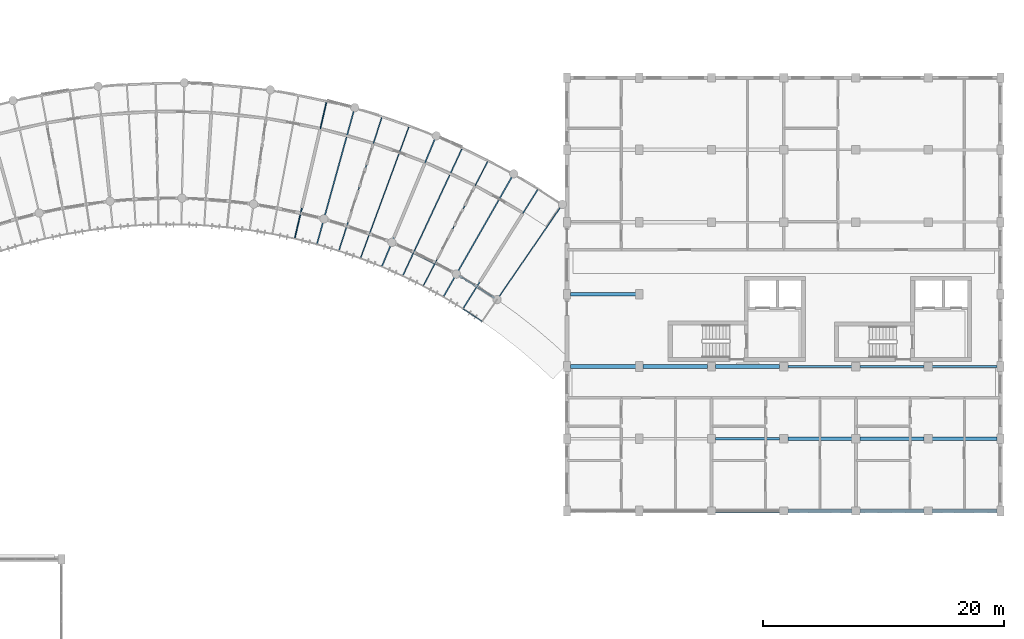
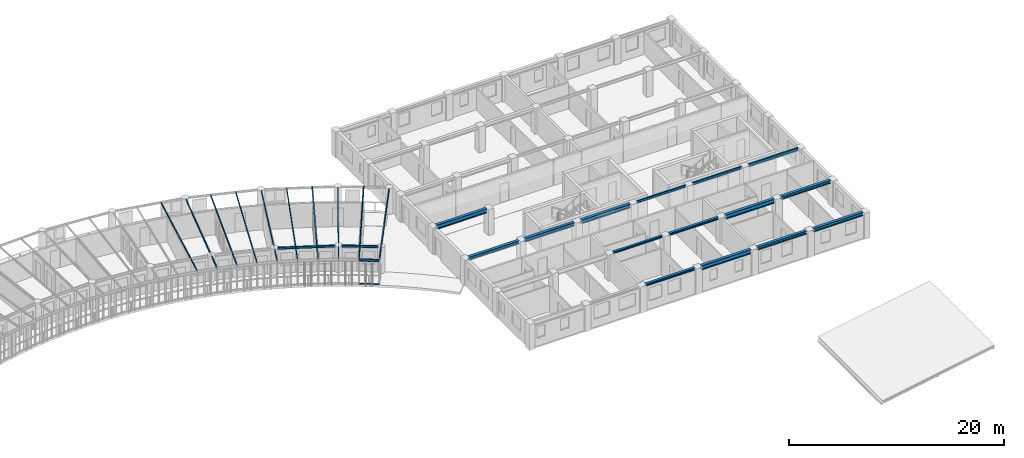
# One storey, part 65 of 137: 28 beams, 2 members.
"""IFC4 building model written with IfcOpenShell, lengths in metres."""

from ifc_helpers import new_model, si_unit, direction, frame, origin, origin_2d, place, context, subcontext, project, spatial, hollow_rectangle, i_section, extrude, material, material_profile, profile_set, type_object, element, save


model = new_model("IFC4")

# Units and contexts
model_context = context("Model", 3, precision=1e-05, world=origin(), true_north=direction((0.0, 1.0)))
body_context = subcontext(model_context, "Body", "Model", "MODEL_VIEW")
ifc_project = project(units=[si_unit("LENGTHUNIT", "METRE"), si_unit("AREAUNIT", "SQUARE_METRE"), si_unit("VOLUMEUNIT", "CUBIC_METRE"), si_unit("PLANEANGLEUNIT", "RADIAN"), si_unit("MASSUNIT", "GRAM", prefix="KILO"), si_unit("POWERUNIT", "WATT"), si_unit("THERMODYNAMICTEMPERATUREUNIT", "KELVIN")], contexts=[model_context])

# Site, building, storey
site_placement = place(None, origin())
site = spatial("IfcSite", under=ifc_project, at=site_placement, CompositionType="ELEMENT")
building_placement = place(site_placement, origin())
building = spatial("IfcBuilding", under=site, at=building_placement, Name="Ruvembo Vaulted Housing Court", CompositionType="ELEMENT")
storey_placement = place(building_placement, frame((0.0, 0.0, 4.5)))
storey = spatial("IfcBuildingStorey", under=building, at=storey_placement, Name="L01", CompositionType="ELEMENT", Elevation=4.5)

# Beams
ifc_material = material(Name="Steel S355J2", Category="steel")
ifc_material_profile_1 = material_profile(ifc_material, i_section(OverallWidth=0.219970703125, OverallDepth=0.219970703125, WebThickness=0.009521484375, FlangeThickness=0.01611328125, FilletRadius=0.01806640625, at=origin_2d()), Name="HEB 220")
ifc_profile_set_1 = profile_set([ifc_material_profile_1], Name="Steel S355J2")
beam_type_1 = type_object("IfcBeamType", Name="BM-ST-HEB220", PredefinedType="BEAM", material=ifc_profile_set_1)
beam_1_placement = place(storey_placement, frame((162.3349609375, 78.0, 2.81591796875), z_axis=(1.0, 0.0, 0.0), x_axis=(0.0, 1.0, 0.0)))
element("IfcBeam", 1, at=beam_1_placement, inside=storey, type_object=beam_type_1, Name="L01 Grid Beam X #1242", PredefinedType="BEAM", context=body_context, shape_type="SweptSolid", body=[
    extrude(i_section(OverallWidth=0.219970703125, OverallDepth=0.219970703125, WebThickness=0.009521484375, FlangeThickness=0.01611328125, FilletRadius=0.01806640625, at=origin_2d()), origin(), (0.0, 0.0, 1.0), 5.330078125),
])
ifc_material_profile_2 = material_profile(ifc_material, i_section(OverallWidth=0.260009765625, OverallDepth=0.260009765625, WebThickness=0.010009765625, FlangeThickness=0.017578125, FilletRadius=0.02392578125, at=origin_2d()), Name="HEB 260")
ifc_profile_set_2 = profile_set([ifc_material_profile_2], Name="Steel S355J2")
beam_type_2 = type_object("IfcBeamType", Name="BM-ST-HEB260", PredefinedType="BEAM", material=ifc_profile_set_2)
for number, where, z_axis, x_axis, name in (
    (2, (162.3349609375, 72.0, 2.7958984375), (1.0, 0.0, 0.0), (0.0, 1.0, 0.0), "L01 Grid Beam X #1230"),
    (3, (168.3349609375, 78.0, 2.7958984375), (1.0, 0.0, 0.0), (0.0, 1.0, 0.0), "L01 Grid Beam X #1243"),
):
    element("IfcBeam", number, at=place(storey_placement, frame(where, z_axis=z_axis, x_axis=x_axis)), inside=storey, type_object=beam_type_2, Name=name, PredefinedType="BEAM", context=body_context, shape_type="SweptSolid", body=[
        extrude(i_section(OverallWidth=0.260009765625, OverallDepth=0.260009765625, WebThickness=0.010009765625, FlangeThickness=0.017578125, FilletRadius=0.02392578125, at=origin_2d()), origin(), (0.0, 0.0, 1.0), 5.330078125),
    ])
ifc_material_profile_3 = material_profile(ifc_material, i_section(OverallWidth=0.300048828125, OverallDepth=0.5, WebThickness=0.014404296875, FlangeThickness=0.028076171875, FilletRadius=0.027099609375, at=origin_2d()), Name="HEB 320")
ifc_profile_set_3 = profile_set([ifc_material_profile_3], Name="Steel S355J2")
beam_type_3 = type_object("IfcBeamType", Name="BM-ST-HEB320", PredefinedType="BEAM", material=ifc_profile_set_3)
for number, where, z_axis, x_axis, name in (
    (4, (168.3349609375, 72.0, 2.676025390625), (1.0, 0.0, 0.0), (0.0, 1.0, 0.0), "L01 Grid Beam X #1231"),
    (5, (174.3349609375, 78.0, 2.676025390625), (1.0, 0.0, 0.0), (0.0, 1.0, 0.0), "L01 Grid Beam X #1244"),
):
    element("IfcBeam", number, at=place(storey_placement, frame(where, z_axis=z_axis, x_axis=x_axis)), inside=storey, type_object=beam_type_3, Name=name, PredefinedType="BEAM", context=body_context, shape_type="SweptSolid", body=[
        extrude(i_section(OverallWidth=0.300048828125, OverallDepth=0.5, WebThickness=0.014404296875, FlangeThickness=0.028076171875, FilletRadius=0.027099609375, at=origin_2d()), origin(), (0.0, 0.0, 1.0), 5.330078125),
    ])
beam_2_placement = place(storey_placement, frame((150.284912109375, 90.0, 2.676025390625), z_axis=(1.0, 0.0, 0.0), x_axis=(0.0, 1.0, 0.0)))
element("IfcBeam", 6, at=beam_2_placement, inside=storey, type_object=beam_type_3, Name="L01 Grid Beam X #1270", PredefinedType="BEAM", context=body_context, shape_type="SweptSolid", body=[
    extrude(i_section(OverallWidth=0.300048828125, OverallDepth=0.5, WebThickness=0.014404296875, FlangeThickness=0.028076171875, FilletRadius=0.027099609375, at=origin_2d()), origin(), (0.0, 0.0, 1.0), 5.43017578125),
])
ifc_material_profile_4 = material_profile(ifc_material, i_section(OverallWidth=0.300048828125, OverallDepth=0.360107421875, WebThickness=0.012451171875, FlangeThickness=0.0224609375, FilletRadius=0.027099609375, at=origin_2d()), Name="HEB 360")
ifc_profile_set_4 = profile_set([ifc_material_profile_4], Name="Steel S355J2")
beam_type_4 = type_object("IfcBeamType", Name="BM-ST-HEB360", PredefinedType="BEAM", material=ifc_profile_set_4)
beam_3_placement = place(storey_placement, frame((174.3349609375, 72.0, 2.74609375), z_axis=(1.0, 0.0, 0.0), x_axis=(0.0, 1.0, 0.0)))
element("IfcBeam", 7, at=beam_3_placement, inside=storey, type_object=beam_type_4, Name="L01 Grid Beam X #1232", PredefinedType="BEAM", context=body_context, shape_type="SweptSolid", body=[
    extrude(i_section(OverallWidth=0.300048828125, OverallDepth=0.360107421875, WebThickness=0.012451171875, FlangeThickness=0.0224609375, FilletRadius=0.027099609375, at=origin_2d()), origin(), (0.0, 0.0, 1.0), 5.330078125),
])
beam_4_placement = place(storey_placement, frame((180.3349609375, 78.0, 2.74609375), z_axis=(1.0, 0.0, 0.0), x_axis=(0.0, 1.0, 0.0)))
element("IfcBeam", 8, at=beam_4_placement, inside=storey, type_object=beam_type_4, Name="L01 Grid Beam X #1245", PredefinedType="BEAM", context=body_context, shape_type="SweptSolid", body=[
    extrude(i_section(OverallWidth=0.300048828125, OverallDepth=0.360107421875, WebThickness=0.012451171875, FlangeThickness=0.0224609375, FilletRadius=0.027099609375, at=origin_2d()), origin(), (0.0, 0.0, 1.0), 5.380126953125),
])
beam_5_placement = place(storey_placement, frame((150.284912109375, 84.0, 2.74609375), z_axis=(1.0, 0.0, 0.0), x_axis=(0.0, 1.0, 0.0)))
element("IfcBeam", 9, at=beam_5_placement, inside=storey, type_object=beam_type_4, Name="L01 Grid Beam X #1258", PredefinedType="BEAM", context=body_context, shape_type="SweptSolid", body=[
    extrude(i_section(OverallWidth=0.300048828125, OverallDepth=0.360107421875, WebThickness=0.012451171875, FlangeThickness=0.0224609375, FilletRadius=0.027099609375, at=origin_2d()), origin(), (0.0, 0.0, 1.0), 5.43017578125),
])
ifc_material_profile_5 = material_profile(ifc_material, i_section(OverallWidth=0.300048828125, OverallDepth=0.39990234375, WebThickness=0.013427734375, FlangeThickness=0.02392578125, FilletRadius=0.027099609375, at=origin_2d()), Name="HEB 400")
ifc_profile_set_5 = profile_set([ifc_material_profile_5], Name="Steel S355J2")
beam_type_5 = type_object("IfcBeamType", Name="BM-ST-HEB400", PredefinedType="BEAM", material=ifc_profile_set_5)
for number, where, z_axis, x_axis, name in (
    (10, (180.3349609375, 72.0, 2.72607421875), (1.0, 0.0, 0.0), (0.0, 1.0, 0.0), "L01 Grid Beam X #1233"),
    (11, (156.284912109375, 84.0, 2.72607421875), (1.0, 0.0, 0.0), (0.0, 1.0, 0.0), "L01 Grid Beam X #1259"),
):
    element("IfcBeam", number, at=place(storey_placement, frame(where, z_axis=z_axis, x_axis=x_axis)), inside=storey, type_object=beam_type_5, Name=name, PredefinedType="BEAM", context=body_context, shape_type="SweptSolid", body=[
        extrude(i_section(OverallWidth=0.300048828125, OverallDepth=0.39990234375, WebThickness=0.013427734375, FlangeThickness=0.02392578125, FilletRadius=0.027099609375, at=origin_2d()), origin(), (0.0, 0.0, 1.0), 5.380126953125),
    ])
ifc_material_profile_6 = material_profile(ifc_material, i_section(OverallWidth=0.300048828125, OverallDepth=0.449951171875, WebThickness=0.013916015625, FlangeThickness=0.02587890625, FilletRadius=0.027099609375, at=origin_2d()), Name="HEB 450")
ifc_profile_set_6 = profile_set([ifc_material_profile_6], Name="Steel S355J2")
beam_type_6 = type_object("IfcBeamType", Name="BM-ST-HEB450", PredefinedType="BEAM", material=ifc_profile_set_6)
beam_6_placement = place(storey_placement, frame((162.3349609375, 84.0, 2.700927734375), z_axis=(1.0, 0.0, 0.0), x_axis=(0.0, 1.0, 0.0)))
element("IfcBeam", 12, at=beam_6_placement, inside=storey, type_object=beam_type_6, Name="L01 Grid Beam X #1260", PredefinedType="BEAM", context=body_context, shape_type="SweptSolid", body=[
    extrude(i_section(OverallWidth=0.300048828125, OverallDepth=0.449951171875, WebThickness=0.013916015625, FlangeThickness=0.02587890625, FilletRadius=0.027099609375, at=origin_2d()), origin(), (0.0, 0.0, 1.0), 5.330078125),
])
ifc_material_profile_7 = material_profile(ifc_material, i_section(OverallWidth=0.08203125, OverallDepth=0.159912109375, WebThickness=0.0048828125, FlangeThickness=0.00732421875, FilletRadius=0.009033203125, at=origin_2d()), Name="IPE 160")
ifc_profile_set_7 = profile_set([ifc_material_profile_7], Name="Steel S355J2")
beam_type_7 = type_object("IfcBeamType", Name="BM-ST-IPE160", PredefinedType="JOIST", material=ifc_profile_set_7)
for number, where, z_axis, x_axis, name in (
    (13, (130.002685546875, 105.9599609375, 2.860107421875), (-0.226331039465, -0.974050440467, 0.0), (0.974050440467, -0.226331039465, 0.0), "Scoop SC3 L01 Radial Steel Joist 20"),
    (14, (136.852783203125, 103.91162109375, 2.860107421875), (-0.345551481909, -0.938399793985, 0.0), (0.938399793985, -0.345551481909, 0.0), "Scoop SC3 L01 Radial Steel Joist 23"),
):
    element("IfcBeam", number, at=place(storey_placement, frame(where, z_axis=z_axis, x_axis=x_axis)), inside=storey, type_object=beam_type_7, Name=name, PredefinedType="JOIST", context=body_context, shape_type="SweptSolid", body=[
        extrude(i_section(OverallWidth=0.08203125, OverallDepth=0.159912109375, WebThickness=0.0048828125, FlangeThickness=0.00732421875, FilletRadius=0.009033203125, at=origin_2d()), origin(), (0.0, 0.0, 1.0), 11.69091796875),
    ])
beam_7_placement = place(storey_placement, frame((143.3955078125, 101.028076171875, 2.860107421875), z_axis=(-0.459450756353, -0.888203243907, 0.0), x_axis=(0.888203243907, -0.459450756353, 0.0)))
element("IfcBeam", 15, at=beam_7_placement, inside=storey, type_object=beam_type_7, Name="Scoop SC3 L01 Radial Steel Joist 26", PredefinedType="JOIST", context=body_context, shape_type="SweptSolid", body=[
    extrude(i_section(OverallWidth=0.08203125, OverallDepth=0.159912109375, WebThickness=0.0048828125, FlangeThickness=0.00732421875, FilletRadius=0.009033203125, at=origin_2d()), origin(), (0.0, 0.0, 1.0), 11.690673828125),
])
beam_8_placement = place(storey_placement, frame((149.483642578125, 97.287841796875, 2.860107421875), z_axis=(-0.566205714572, -0.824263967905, 0.0), x_axis=(0.824263967905, -0.566205714572, 0.0)))
element("IfcBeam", 16, at=beam_8_placement, inside=storey, type_object=beam_type_7, Name="Scoop SC3 L01 Radial Steel Joist 29", PredefinedType="JOIST", context=body_context, shape_type="SweptSolid", body=[
    extrude(i_section(OverallWidth=0.08203125, OverallDepth=0.159912109375, WebThickness=0.0048828125, FlangeThickness=0.00732421875, FilletRadius=0.009033203125, at=origin_2d()), origin(), (0.0, 0.0, 1.0), 11.610107421875),
])
ifc_material_profile_8 = material_profile(ifc_material, i_section(OverallWidth=0.091064453125, OverallDepth=0.179931640625, WebThickness=0.00537109375, FlangeThickness=0.008056640625, FilletRadius=0.009033203125, at=origin_2d()), Name="IPE 180")
ifc_profile_set_8 = profile_set([ifc_material_profile_8], Name="Steel S355J2")
beam_type_8 = type_object("IfcBeamType", Name="BM-ST-IPE180", PredefinedType="JOIST", material=ifc_profile_set_8)
beam_9_placement = place(storey_placement, frame((134.5986328125, 104.68896484375, 2.85009765625), z_axis=(-0.306337017889, -0.951923122669, 0.0), x_axis=(0.951923122669, -0.306337017889, 0.0)))
element("IfcBeam", 17, at=beam_9_placement, inside=storey, type_object=beam_type_8, Name="Scoop SC3 L01 Radial Steel Joist 22", PredefinedType="JOIST", context=body_context, shape_type="SweptSolid", body=[
    extrude(i_section(OverallWidth=0.091064453125, OverallDepth=0.179931640625, WebThickness=0.00537109375, FlangeThickness=0.008056640625, FilletRadius=0.009033203125, at=origin_2d()), origin(), (0.0, 0.0, 1.0), 11.690673828125),
])
beam_10_placement = place(storey_placement, frame((141.255126953125, 102.07958984375, 2.85009765625), z_axis=(-0.422190259357, -0.906507244816, 0.0), x_axis=(0.906507244816, -0.422190259357, 0.0)))
element("IfcBeam", 18, at=beam_10_placement, inside=storey, type_object=beam_type_8, Name="Scoop SC3 L01 Radial Steel Joist 25", PredefinedType="JOIST", context=body_context, shape_type="SweptSolid", body=[
    extrude(i_section(OverallWidth=0.091064453125, OverallDepth=0.179931640625, WebThickness=0.00537109375, FlangeThickness=0.008056640625, FilletRadius=0.009033203125, at=origin_2d()), origin(), (0.0, 0.0, 1.0), 11.69091796875),
])
beam_11_placement = place(storey_placement, frame((147.5625, 98.70556640625, 2.85009765625), z_axis=(-0.531512135198, -0.847050677432, 0.0), x_axis=(0.847050677432, -0.531512135198, 0.0)))
element("IfcBeam", 19, at=beam_11_placement, inside=storey, type_object=beam_type_8, Name="Scoop SC3 L01 Radial Steel Joist 28", PredefinedType="JOIST", context=body_context, shape_type="SweptSolid", body=[
    extrude(i_section(OverallWidth=0.091064453125, OverallDepth=0.179931640625, WebThickness=0.00537109375, FlangeThickness=0.008056640625, FilletRadius=0.009033203125, at=origin_2d()), origin(), (0.0, 0.0, 1.0), 11.740478515625),
])
ifc_material_profile_9 = material_profile(ifc_material, i_section(OverallWidth=0.10009765625, OverallDepth=0.199951171875, WebThickness=0.005615234375, FlangeThickness=0.008544921875, FilletRadius=0.011962890625, at=origin_2d()), Name="IPE 200")
ifc_profile_set_9 = profile_set([ifc_material_profile_9], Name="Steel S355J2")
beam_type_9 = type_object("IfcBeamType", Name="BM-ST-IPE200", PredefinedType="BEAM", material=ifc_profile_set_9)
for number, where, z_axis, x_axis, name in (
    (20, (132.29248046875, 105.294189453125, 2.840087890625), (-0.266576495377, -0.963813764227, 0.0), (0.963813764227, -0.266576495377, 0.0), "Scoop SC3 L01 Radial Steel Joist 21"),
    (21, (139.0419921875, 102.966796875, 2.840087890625), (-0.384207721975, -0.923246676883, 0.0), (0.923246676883, -0.384207721975, 0.0), "Scoop SC3 L01 Radial Steel Joist 24"),
):
    element("IfcBeam", number, at=place(storey_placement, frame(where, z_axis=z_axis, x_axis=x_axis)), inside=storey, type_object=beam_type_9, Name=name, PredefinedType="BEAM", context=body_context, shape_type="SweptSolid", body=[
        extrude(i_section(OverallWidth=0.10009765625, OverallDepth=0.199951171875, WebThickness=0.005615234375, FlangeThickness=0.008544921875, FilletRadius=0.011962890625, at=origin_2d()), origin(), (0.0, 0.0, 1.0), 11.610107421875),
    ])
beam_12_placement = place(storey_placement, frame((145.4501953125, 99.818603515625, 2.840087890625), z_axis=(-0.495898868664, -0.868380280786, 0.0), x_axis=(0.868380280786, -0.495898868664, 0.0)))
element("IfcBeam", 22, at=beam_12_placement, inside=storey, type_object=beam_type_9, Name="Scoop SC3 L01 Radial Steel Joist 27", PredefinedType="BEAM", context=body_context, shape_type="SweptSolid", body=[
    extrude(i_section(OverallWidth=0.10009765625, OverallDepth=0.199951171875, WebThickness=0.005615234375, FlangeThickness=0.008544921875, FilletRadius=0.011962890625, at=origin_2d()), origin(), (0.0, 0.0, 1.0), 11.60986328125),
])
ifc_material_profile_10 = material_profile(ifc_material, i_section(OverallWidth=0.1201171875, OverallDepth=0.239990234375, WebThickness=0.006103515625, FlangeThickness=0.009765625, FilletRadius=0.014892578125, at=origin_2d()), Name="IPE 240")
ifc_profile_set_10 = profile_set([ifc_material_profile_10], Name="Steel S355J2")
beam_type_10 = type_object("IfcBeamType", Name="BM-ST-IPE240", PredefinedType="BEAM", material=ifc_profile_set_10)
beam_13_placement = place(storey_placement, frame((135.6484375, 94.21435546875, 2.822021484375), z_axis=(0.89755770808, -0.440896995528, 0.0), x_axis=(0.440896995528, 0.89755770808, 0.0)))
element("IfcBeam", 23, at=beam_13_placement, inside=storey, type_object=beam_type_10, Name="Scoop SC3 L01 Chord Girder F24", PredefinedType="BEAM", context=body_context, shape_type="SweptSolid", body=[
    extrude(i_section(OverallWidth=0.1201171875, OverallDepth=0.239990234375, WebThickness=0.006103515625, FlangeThickness=0.009765625, FilletRadius=0.014892578125, at=origin_2d()), origin(), (0.0, 0.0, 1.0), 5.513671875),
])
beam_14_placement = place(storey_placement, frame((140.998291015625, 91.559814453125, 2.822021484375), z_axis=(0.84705900203, -0.531498868371, 0.0), x_axis=(0.531498868371, 0.84705900203, 0.0)))
element("IfcBeam", 24, at=beam_14_placement, inside=storey, type_object=beam_type_10, Name="Scoop SC3 L01 Chord Girder F27", PredefinedType="BEAM", context=body_context, shape_type="SweptSolid", body=[
    extrude(i_section(OverallWidth=0.1201171875, OverallDepth=0.239990234375, WebThickness=0.006103515625, FlangeThickness=0.009765625, FilletRadius=0.014892578125, at=origin_2d()), origin(), (0.0, 0.0, 1.0), 3.524169921875),
])
ifc_material_profile_11 = material_profile(ifc_material, i_section(OverallWidth=0.135009765625, OverallDepth=0.27001953125, WebThickness=0.006591796875, FlangeThickness=0.01025390625, FilletRadius=0.014892578125, at=origin_2d()), Name="IPE 270")
ifc_profile_set_11 = profile_set([ifc_material_profile_11], Name="Steel S355J2")
beam_type_11 = type_object("IfcBeamType", Name="BM-ST-IPE270", PredefinedType="BEAM", material=ifc_profile_set_11)
beam_15_placement = place(storey_placement, frame((168.3349609375, 84.0, 2.791015625), z_axis=(1.0, 0.0, 0.0), x_axis=(0.0, 1.0, 0.0)))
element("IfcBeam", 25, at=beam_15_placement, inside=storey, type_object=beam_type_11, Name="L01 Grid Beam X #1261", PredefinedType="BEAM", context=body_context, shape_type="SweptSolid", body=[
    extrude(i_section(OverallWidth=0.135009765625, OverallDepth=0.27001953125, WebThickness=0.006591796875, FlangeThickness=0.01025390625, FilletRadius=0.014892578125, at=origin_2d()), origin(), (0.0, 0.0, 1.0), 5.330078125),
])
ifc_material_profile_12 = material_profile(ifc_material, i_section(OverallWidth=0.14990234375, OverallDepth=0.300048828125, WebThickness=0.007080078125, FlangeThickness=0.0107421875, FilletRadius=0.014892578125, at=origin_2d()), Name="IPE 300")
ifc_profile_set_12 = profile_set([ifc_material_profile_12], Name="Steel S355J2")
beam_type_12 = type_object("IfcBeamType", Name="BM-ST-IPE300", PredefinedType="BEAM", material=ifc_profile_set_12)
beam_16_placement = place(storey_placement, frame((174.3349609375, 84.0, 2.77587890625), z_axis=(1.0, 0.0, 0.0), x_axis=(0.0, 1.0, 0.0)))
element("IfcBeam", 26, at=beam_16_placement, inside=storey, type_object=beam_type_12, Name="L01 Grid Beam X #1262", PredefinedType="BEAM", context=body_context, shape_type="SweptSolid", body=[
    extrude(i_section(OverallWidth=0.14990234375, OverallDepth=0.300048828125, WebThickness=0.007080078125, FlangeThickness=0.0107421875, FilletRadius=0.014892578125, at=origin_2d()), origin(), (0.0, 0.0, 1.0), 5.330078125),
])
ifc_material_profile_13 = material_profile(ifc_material, i_section(OverallWidth=0.159912109375, OverallDepth=0.330078125, WebThickness=0.007568359375, FlangeThickness=0.011474609375, FilletRadius=0.01806640625, at=origin_2d()), Name="IPE 330")
ifc_profile_set_13 = profile_set([ifc_material_profile_13], Name="Steel S355J2")
beam_type_13 = type_object("IfcBeamType", Name="BM-ST-IPE330", PredefinedType="BEAM", material=ifc_profile_set_13)
beam_17_placement = place(storey_placement, frame((180.3349609375, 84.0, 2.760986328125), z_axis=(1.0, 0.0, 0.0), x_axis=(0.0, 1.0, 0.0)))
element("IfcBeam", 27, at=beam_17_placement, inside=storey, type_object=beam_type_13, Name="L01 Grid Beam X #1263", PredefinedType="BEAM", context=body_context, shape_type="SweptSolid", body=[
    extrude(i_section(OverallWidth=0.159912109375, OverallDepth=0.330078125, WebThickness=0.007568359375, FlangeThickness=0.011474609375, FilletRadius=0.01806640625, at=origin_2d()), origin(), (0.0, 0.0, 1.0), 5.380126953125),
])
ifc_material_profile_14 = material_profile(ifc_material, hollow_rectangle(XDim=0.10009765625, YDim=0.199951171875, WallThickness=0.008056640625, InnerFilletRadius=0.008056640625, OuterFilletRadius=0.01611328125, at=origin_2d()), Name="RHS 200x100x8")
ifc_profile_set_14 = profile_set([ifc_material_profile_14], Name="Steel S355J2")
beam_type_14 = type_object("IfcBeamType", Name="BM-ST-RHS200", PredefinedType="SPANDREL", material=ifc_profile_set_14)
beam_18_placement = place(storey_placement, frame((141.343505859375, 88.794677734375, 2.840087890625), z_axis=(0.835902452778, -0.548878027834, 0.0), x_axis=(0.548878027834, 0.835902452778, 0.0)))
element("IfcBeam", 28, at=beam_18_placement, inside=storey, type_object=beam_type_14, Name="Scoop SC3 L01 Balcony Edge Spandrel 28", PredefinedType="SPANDREL", context=body_context, shape_type="SweptSolid", body=[
    extrude(hollow_rectangle(XDim=0.10009765625, YDim=0.199951171875, WallThickness=0.008056640625, InnerFilletRadius=0.008056640625, OuterFilletRadius=0.01611328125, at=origin_2d()), origin(), (0.0, 0.0, 1.0), 1.901123046875),
])

# Members
ifc_material_profile_15 = material_profile(ifc_material, hollow_rectangle(XDim=0.06005859375, YDim=0.1201171875, WallThickness=0.0048828125, InnerFilletRadius=0.0048828125, OuterFilletRadius=0.010009765625, at=origin_2d()), Name="RHS 120x60x5")
ifc_profile_set_15 = profile_set([ifc_material_profile_15], Name="Steel S355J2")
member_type_1 = type_object("IfcMemberType", Name="MEM-CAR-RHS120", PredefinedType="CHORD", material=ifc_profile_set_15)
member_1_placement = place(storey_placement, frame((141.343505859375, 88.794677734375, 2.68310546875), z_axis=(0.835902452778, -0.548878027834, 0.0), x_axis=(0.548878027834, 0.835902452778, 0.0)))
element("IfcMember", 29, at=member_1_placement, inside=storey, type_object=member_type_1, Name="Scoop SC3 L01 Upper Louvre Carrier Rail 28", PredefinedType="CHORD", context=body_context, shape_type="SweptSolid", body=[
    extrude(hollow_rectangle(XDim=0.06005859375, YDim=0.1201171875, WallThickness=0.0048828125, InnerFilletRadius=0.0048828125, OuterFilletRadius=0.010009765625, at=origin_2d()), origin(), (0.0, 0.0, 1.0), 1.901123046875),
])
ifc_material_profile_16 = material_profile(ifc_material, hollow_rectangle(XDim=0.080078125, YDim=0.14990234375, WallThickness=0.00634765625, InnerFilletRadius=0.00634765625, OuterFilletRadius=0.0126953125, at=origin_2d()), Name="RHS 150x80x6.3")
ifc_profile_set_16 = profile_set([ifc_material_profile_16], Name="Steel S355J2")
member_type_2 = type_object("IfcMemberType", Name="MEM-CAR-RHS150", PredefinedType="CHORD", material=ifc_profile_set_16)
member_2_placement = place(storey_placement, frame((141.343505859375, 88.794677734375, 0.094970703125), z_axis=(0.835902452778, -0.548878027834, 0.0), x_axis=(0.548878027834, 0.835902452778, 0.0)))
element("IfcMember", 30, at=member_2_placement, inside=storey, type_object=member_type_2, Name="Scoop SC3 L01 Lower Louvre Carrier Rail 28", PredefinedType="CHORD", context=body_context, shape_type="SweptSolid", body=[
    extrude(hollow_rectangle(XDim=0.080078125, YDim=0.14990234375, WallThickness=0.00634765625, InnerFilletRadius=0.00634765625, OuterFilletRadius=0.0126953125, at=origin_2d()), origin(), (0.0, 0.0, 1.0), 1.901123046875),
])

save(model, "model.ifc")
